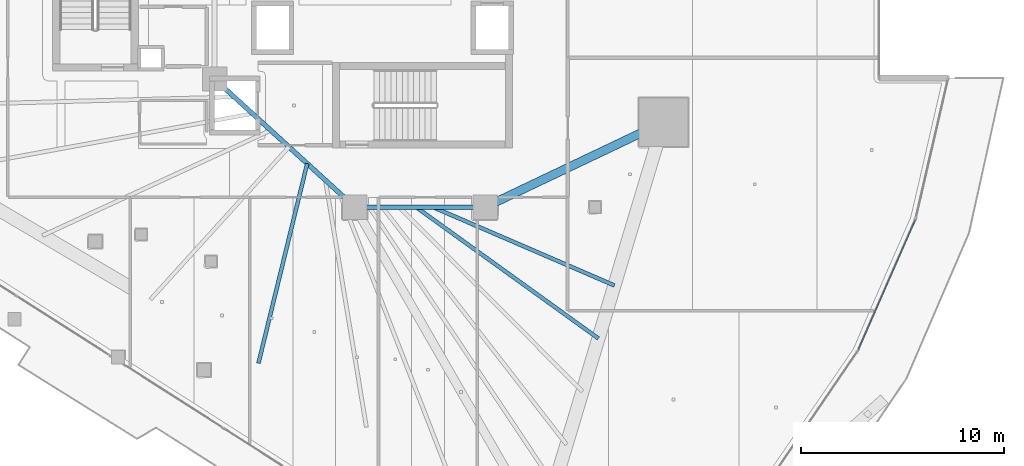
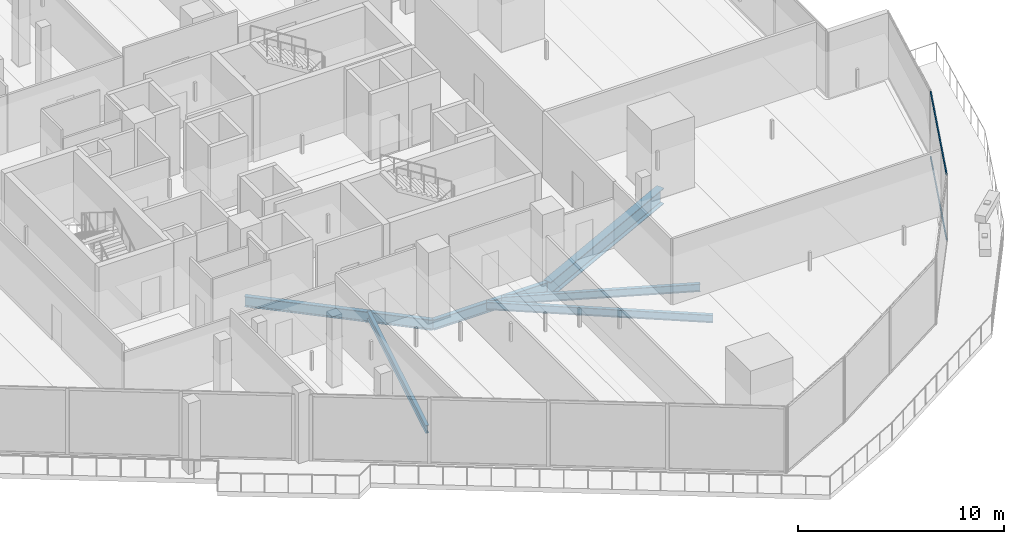
# One storey, part 12 of 45: 6 beams, 2 members, 1 element without a shape of its own.
"""IFC4 building model written with IfcOpenShell, lengths in metres."""

import ifcopenshell
import ifcopenshell.guid

model = None  # the IFC model being written
_history = None  # IfcOwnerHistory: only IFC2X3 demands one
_inside = {}  # id of a spatial element -> (the spatial element, [elements in it])
_under = {}  # id of a project, library or spatial element -> (it, [spatial elements below it])
_declared = {}  # id of a project -> (the project, [libraries it declares])
_typed = {}  # id of a type object -> (the type object, [elements of that type])
_made_of = {}  # id of a material, layer set ... -> (it, [elements and type objects made of it])


def new_model(schema):
    """Start an empty IFC model of exactly this schema.

    Asked for "IFC4X3", IfcOpenShell would pick the latest addendum, in which some entities
    have other attributes; the version numbers below select the first issue.
    IFC2X3 requires an IfcOwnerHistory on every rooted entity: one is made here for all.
    """
    global model, _history
    if schema == "IFC4X3":
        model = ifcopenshell.file(schema_version=(4, 3, 0, 0))
    else:
        model = ifcopenshell.file(schema=schema)
    _inside.clear()
    _under.clear()
    _declared.clear()
    _typed.clear()
    _made_of.clear()
    _history = None
    if model.schema == "IFC2X3":
        org = make("IfcOrganization", Name="unknown")
        user = make(
            "IfcPersonAndOrganization",
            ThePerson=make("IfcPerson", FamilyName="unknown"),
            TheOrganization=org,
        )
        app = make(
            "IfcApplication",
            ApplicationDeveloper=org,
            Version="unknown",
            ApplicationFullName="unknown",
            ApplicationIdentifier="unknown",
        )
        _history = make(
            "IfcOwnerHistory",
            OwningUser=user,
            OwningApplication=app,
            ChangeAction="ADDED",
            CreationDate=0,
        )
    return model


def make(cls, **values):
    """One entity of the class cls with the attributes given. An attribute that is None is left unset."""
    return model.create_entity(
        cls, **{name: value for name, value in values.items() if value is not None}
    )


def rooted(cls, **values):
    """An entity with a GlobalId (a new one), such as an element, a storey or a relation."""
    return make(cls, GlobalId=ifcopenshell.guid.new(), OwnerHistory=_history, **values)


def si_unit(unit_type, name, prefix=None):
    """IfcSIUnit, for example si_unit("LENGTHUNIT", "METRE", prefix="MILLI")."""
    return make("IfcSIUnit", UnitType=unit_type, Prefix=prefix, Name=name)


def assignment(units):
    """IfcUnitAssignment: the units of a project."""
    return None if units is None else make("IfcUnitAssignment", Units=units)


def point(xyz):
    """IfcCartesianPoint."""
    return None if xyz is None else make("IfcCartesianPoint", Coordinates=xyz)


def direction(xyz):
    """IfcDirection."""
    return None if xyz is None else make("IfcDirection", DirectionRatios=xyz)


def frame(location, z_axis=None, x_axis=None):
    """IfcAxis2Placement3D, a coordinate frame: its origin and axes. An axis left out is left unset."""
    return make(
        "IfcAxis2Placement3D",
        Location=point(location),
        Axis=direction(z_axis),
        RefDirection=direction(x_axis),
    )


def frame_2d(location, x_axis=None):
    """IfcAxis2Placement2D, a coordinate frame in the plane: its origin and x axis."""
    return make(
        "IfcAxis2Placement2D", Location=point(location), RefDirection=direction(x_axis)
    )


def origin():
    """The frame at (0, 0, 0) with its axes left unset."""
    return frame((0.0, 0.0, 0.0))


def origin_2d():
    """The frame at (0, 0) in the plane with its x axis left unset."""
    return frame_2d((0.0, 0.0))


def place(relative_to, where):
    """IfcLocalPlacement: puts the frame where relative to a parent placement (None: the world)."""
    return make(
        "IfcLocalPlacement", PlacementRelTo=relative_to, RelativePlacement=where
    )


def context(
    kind, dimensions, precision=None, world=None, true_north=None, identifier=None
):
    """IfcGeometricRepresentationContext, for example the 3D "Model" context."""
    return make(
        "IfcGeometricRepresentationContext",
        ContextIdentifier=identifier,
        ContextType=kind,
        CoordinateSpaceDimension=dimensions,
        Precision=precision,
        WorldCoordinateSystem=world,
        TrueNorth=true_north,
    )


def subcontext(parent, identifier, kind, view, scale=None):
    """IfcGeometricRepresentationSubContext, for example "Body" below "Model"."""
    return make(
        "IfcGeometricRepresentationSubContext",
        ContextIdentifier=identifier,
        ContextType=kind,
        ParentContext=parent,
        TargetScale=scale,
        TargetView=view,
    )


def project(units=None, contexts=None):
    """IfcProject with its units and contexts."""
    return rooted(
        "IfcProject",
        Name="project",
        RepresentationContexts=contexts,
        UnitsInContext=assignment(units),
    )


def spatial(cls, under=None, at=None, **own):
    """A site, building, storey or space (cls), placed at a placement, below another one or the project."""
    s = rooted(cls, ObjectPlacement=at, **own)
    if under is not None:
        _under.setdefault(under.id(), (under, []))[1].append(s)
    return s


def profile(cls, at=None, kind="AREA", **sizes):
    """A parametric profile (cls). Its sizes go by their IFC names, for example OverallWidth=200.0."""
    return make(cls, ProfileType=kind, Position=at, **sizes)


def hollow_rectangle(**sizes):
    """IfcRectangleHollowProfileDef."""
    return profile("IfcRectangleHollowProfileDef", **sizes)


def i_section(**sizes):
    """IfcIShapeProfileDef."""
    return profile("IfcIShapeProfileDef", **sizes)


def extrude(swept, where, along, depth):
    """IfcExtrudedAreaSolid: the profile swept, set in the frame where, extruded along a direction by depth."""
    return make(
        "IfcExtrudedAreaSolid",
        SweptArea=swept,
        Position=where,
        ExtrudedDirection=direction(along),
        Depth=depth,
    )


def shape(context_of_items, identifier, shape_type, items):
    """IfcShapeRepresentation: the items that make up one representation, for example the "Body"."""
    return make(
        "IfcShapeRepresentation",
        ContextOfItems=context_of_items,
        RepresentationIdentifier=identifier,
        RepresentationType=shape_type,
        Items=items,
    )


def material(Name=None, Category=None):
    """IfcMaterial."""
    return make("IfcMaterial", Name=Name, Category=Category)


def layer(
    of_material, thickness, ventilated=None, Name=None, Category=None, Priority=None
):
    """IfcMaterialLayer: one layer of a wall or slab, of a material (None: an air gap)."""
    return make(
        "IfcMaterialLayer",
        Material=of_material,
        LayerThickness=thickness,
        IsVentilated=ventilated,
        Name=Name,
        Category=Category,
        Priority=Priority,
    )


def layer_set(layers, Name=None):
    """IfcMaterialLayerSet."""
    return make("IfcMaterialLayerSet", MaterialLayers=layers, LayerSetName=Name)


def material_profile(
    of_material, cross_section, Name=None, Category=None, Priority=None
):
    """IfcMaterialProfile: a cross section and its material."""
    return make(
        "IfcMaterialProfile",
        Name=Name,
        Material=of_material,
        Profile=cross_section,
        Priority=Priority,
        Category=Category,
    )


def profile_set(profiles, Name=None, composite=None):
    """IfcMaterialProfileSet."""
    return make(
        "IfcMaterialProfileSet",
        Name=Name,
        MaterialProfiles=profiles,
        CompositeProfile=composite,
    )


def made_of(thing, what):
    """Note that an element or type object is made of a material, layer set ...; save() writes the relation."""
    if what is not None:
        _made_of.setdefault(what.id(), (what, []))[1].append(thing)
    return thing


def type_object(cls, material=None, **own):
    """A type object (cls), such as IfcWallType, which elements share."""
    return made_of(rooted(cls, **own), material)


def element(
    cls,
    number,
    at=None,
    inside=None,
    cuts=None,
    type_object=None,
    material=None,
    context=None,
    identifier="Body",
    shape_type=None,
    held_by="IfcProductDefinitionShape",
    body=None,
    shapes=None,
    **own,
):
    """One element of the class cls, such as IfcWall. Its Tag is "e" and its number.

    at: its placement. inside: the storey or other place that contains it. cuts: it is an
    opening in that element (IfcRelVoidsElement). A single representation is given by context,
    identifier, shape_type and body (its items); several are given by shapes. held_by: the class
    of the entity that holds the representations. save() writes the other relations.
    """
    e = rooted(cls, Tag="e%d" % number, ObjectPlacement=at, **own)
    if body is not None:
        shapes = [shape(context, identifier, shape_type, body)]
    if shapes is not None:
        e.Representation = make(held_by, Representations=shapes)
    if inside is not None:
        _inside.setdefault(inside.id(), (inside, []))[1].append(e)
    if cuts is not None:
        rooted(
            "IfcRelVoidsElement", RelatingBuildingElement=cuts, RelatedOpeningElement=e
        )
    if type_object is not None:
        _typed.setdefault(type_object.id(), (type_object, []))[1].append(e)
    return made_of(e, material)


def aggregate(whole, parts):
    """IfcRelAggregates: a whole, such as a stair, and the parts it consists of."""
    return rooted("IfcRelAggregates", RelatingObject=whole, RelatedObjects=parts)


def save(model, path):
    """Write the relations noted so far, then the file.

    IfcRelAggregates (storeys below a building ...), IfcRelContainedInSpatialStructure (elements
    in a storey), IfcRelDefinesByType, IfcRelAssociatesMaterial and IfcRelDeclares: one each for
    every whole, place, type object, material and project.
    """
    for whole, parts in _under.values():
        aggregate(whole, parts)
    for where, things in _inside.values():
        rooted(
            "IfcRelContainedInSpatialStructure",
            RelatedElements=things,
            RelatingStructure=where,
        )
    for kind, things in _typed.values():
        rooted("IfcRelDefinesByType", RelatedObjects=things, RelatingType=kind)
    for what, things in _made_of.values():
        rooted("IfcRelAssociatesMaterial", RelatedObjects=things, RelatingMaterial=what)
    for by, libraries in _declared.values():
        rooted("IfcRelDeclares", RelatingContext=by, RelatedDefinitions=libraries)
    model.write(path)


model = new_model("IFC4")

# Units and contexts
model_context = context("Model", 3, precision=1e-05, world=origin(), true_north=direction((0.0, 1.0)))
body_context = subcontext(model_context, "Body", "Model", "MODEL_VIEW")
ifc_project = project(units=[si_unit("LENGTHUNIT", "METRE"), si_unit("AREAUNIT", "SQUARE_METRE"), si_unit("VOLUMEUNIT", "CUBIC_METRE"), si_unit("PLANEANGLEUNIT", "RADIAN"), si_unit("MASSUNIT", "GRAM", prefix="KILO")], contexts=[model_context])

# Site, building, storey
site_placement = place(None, origin())
site = spatial("IfcSite", under=ifc_project, at=site_placement, CompositionType="ELEMENT")
building_placement = place(site_placement, origin())
building = spatial("IfcBuilding", under=site, at=building_placement, Name="Qorvath Tower", CompositionType="ELEMENT")
storey_placement = place(building_placement, frame((0.0, 0.0, 91.199951171875)))
storey = spatial("IfcBuildingStorey", under=building, at=storey_placement, Name="L20", CompositionType="ELEMENT", Elevation=91.199951171875)

# Beams
ifc_material_1 = material(Name="Steel ASTM A992 Grade 50", Category="steel")
ifc_material_profile_1 = material_profile(ifc_material_1, i_section(OverallWidth=0.422119140625, OverallDepth=0.93310546875, WebThickness=0.021240234375, FlangeThickness=0.039794921875, FilletRadius=0.02392578125, at=origin_2d()), Name="W36x262")
ifc_profile_set_1 = profile_set([ifc_material_profile_1], Name="Steel ASTM A992 Grade 50")
beam_type_1 = type_object("IfcBeamType", Name="BM-FG1", PredefinedType="BEAM", material=ifc_profile_set_1)
beam_1_placement = place(storey_placement, frame((-17.199951171875, -11.449951171875, -0.74658203125), z_axis=(0.902955751435, 0.429733534821, 0.0), x_axis=(-0.429733534821, 0.902955751435, 0.0)))
element("IfcBeam", 1, at=beam_1_placement, inside=storey, type_object=beam_type_1, Name="Radial Floor Girder CC3-MC4 L20", PredefinedType="BEAM", context=body_context, shape_type="SweptSolid", body=[
    extrude(i_section(OverallWidth=0.422119140625, OverallDepth=0.93310546875, WebThickness=0.021240234375, FlangeThickness=0.039794921875, FilletRadius=0.02392578125, at=origin_2d()), origin(), (0.0, 0.0, 1.0), 9.7119140625),
])
ifc_material_2 = material(Name="Steel ASTM A992 Grade 50", Category="steel")
ifc_material_profile_2 = material_profile(ifc_material_2, i_section(OverallWidth=0.22998046875, OverallDepth=0.616943359375, WebThickness=0.01318359375, FlangeThickness=0.022216796875, FilletRadius=0.014892578125, at=origin_2d()), Name="W24x94")
ifc_profile_set_2 = profile_set([ifc_material_profile_2], Name="Steel ASTM A992 Grade 50")
beam_type_2 = type_object("IfcBeamType", Name="BM-FG6", PredefinedType="BEAM", material=ifc_profile_set_2)
beam_2_placement = place(storey_placement, frame((-17.199951171875, -11.449951171875, -0.588623046875), z_axis=(-1.0, 0.0, 0.0), x_axis=(0.0, -1.0, 0.0)))
element("IfcBeam", 2, at=beam_2_placement, inside=storey, type_object=beam_type_2, Name="Core Ring Girder CC3-CC4 L20", PredefinedType="BEAM", context=body_context, shape_type="SweptSolid", body=[
    extrude(i_section(OverallWidth=0.22998046875, OverallDepth=0.616943359375, WebThickness=0.01318359375, FlangeThickness=0.022216796875, FilletRadius=0.014892578125, at=origin_2d()), origin(), (0.0, 0.0, 1.0), 6.400146484375),
])
beam_3_placement = place(storey_placement, frame((-23.60009765625, -11.449951171875, -0.588623046875), z_axis=(-0.73847813985, 0.6742774184, 0.0), x_axis=(-0.6742774184, -0.73847813985, 0.0)))
element("IfcBeam", 3, at=beam_3_placement, inside=storey, type_object=beam_type_2, Name="Core Ring Girder CC4-CC6 L20", PredefinedType="BEAM", context=body_context, shape_type="SweptSolid", body=[
    extrude(i_section(OverallWidth=0.22998046875, OverallDepth=0.616943359375, WebThickness=0.01318359375, FlangeThickness=0.022216796875, FilletRadius=0.014892578125, at=origin_2d()), origin(), (0.0, 0.0, 1.0), 9.343505859375),
])
ifc_material_3 = material(Name="Steel ASTM A992 Grade 50", Category="steel")
ifc_material_profile_3 = material_profile(ifc_material_3, i_section(OverallWidth=0.18994140625, OverallDepth=0.45703125, WebThickness=0.009033203125, FlangeThickness=0.014404296875, FilletRadius=0.011962890625, at=origin_2d()), Name="W18x50")
ifc_profile_set_3 = profile_set([ifc_material_profile_3], Name="Steel ASTM A992 Grade 50")
beam_type_3 = type_object("IfcBeamType", Name="BM-FJ2", PredefinedType="JOIST", material=ifc_profile_set_3)
beam_4_placement = place(storey_placement, frame((-19.760009765625, -11.449951171875, -0.508544921875), z_axis=(0.918135537923, -0.396266493667, 0.0), x_axis=(0.396266493667, 0.918135537923, 0.0)))
element("IfcBeam", 4, at=beam_4_placement, inside=storey, type_object=beam_type_3, Name="Composite Floor Joist SE3 L20", PredefinedType="JOIST", context=body_context, shape_type="SweptSolid", body=[
    extrude(i_section(OverallWidth=0.18994140625, OverallDepth=0.45703125, WebThickness=0.009033203125, FlangeThickness=0.014404296875, FilletRadius=0.011962890625, at=origin_2d()), origin(), (0.0, 0.0, 1.0), 9.7109375),
])
beam_5_placement = place(storey_placement, frame((-20.592041015625, -11.449951171875, -0.508544921875), z_axis=(0.811469358397, -0.584394969505, 0.0), x_axis=(0.584394969505, 0.811469358397, 0.0)))
element("IfcBeam", 5, at=beam_5_placement, inside=storey, type_object=beam_type_3, Name="Composite Floor Joist SE4 L20", PredefinedType="JOIST", context=body_context, shape_type="SweptSolid", body=[
    extrude(i_section(OverallWidth=0.18994140625, OverallDepth=0.45703125, WebThickness=0.009033203125, FlangeThickness=0.014404296875, FilletRadius=0.011962890625, at=origin_2d()), origin(), (0.0, 0.0, 1.0), 11.046142578125),
])
beam_6_placement = place(storey_placement, frame((-25.946044921875, -9.30810546875, -0.508544921875), z_axis=(-0.237165308581, -0.97146930801, 0.0), x_axis=(0.97146930801, -0.237165308581, 0.0)))
element("IfcBeam", 6, at=beam_6_placement, inside=storey, type_object=beam_type_3, Name="Composite Floor Joist SW5 L20", PredefinedType="JOIST", context=body_context, shape_type="SweptSolid", body=[
    extrude(i_section(OverallWidth=0.18994140625, OverallDepth=0.45703125, WebThickness=0.009033203125, FlangeThickness=0.014404296875, FilletRadius=0.011962890625, at=origin_2d()), origin(), (0.0, 0.0, 1.0), 10.104736328125),
])

# Curtain wall, members
ifc_material_4 = material(Name="Anodised aluminium and triple low-E glass", Category="aluminium")
ifc_layer = layer(ifc_material_4, 0.179931640625)
ifc_layer_set = layer_set([ifc_layer], Name="CW-SYS-2")
curtain_wall_type = type_object("IfcCurtainWallType", Name="CW-SYS-2", PredefinedType="NOTDEFINED", material=ifc_layer_set)
curtain_wall_placement = place(storey_placement, origin())
curtain_wall = element("IfcCurtainWall", 7, at=curtain_wall_placement, inside=storey, type_object=curtain_wall_type, Name="Curtain Wall CW-2 CW-T-L20-6.1", PredefinedType="NOTDEFINED")
ifc_material_5 = material(Name="Anodised aluminium 6063-T6", Category="aluminium")
ifc_material_profile_4 = material_profile(ifc_material_5, hollow_rectangle(XDim=0.06494140625, YDim=0.159912109375, WallThickness=0.00341796875, InnerFilletRadius=0.00341796875, OuterFilletRadius=0.007080078125, at=origin_2d()), Name="CWT 160x65")
ifc_profile_set_4 = profile_set([ifc_material_profile_4], Name="Anodised aluminium 6063-T6")
member_type = type_object("IfcMemberType", Name="CWT-160", PredefinedType="USERDEFINED", material=ifc_profile_set_4)
member_1_placement = place(storey_placement, frame((1.148681640625, -18.45849609375, 0.032470703125), z_axis=(0.40148574416, 0.915865272426, 0.0), x_axis=(-0.915865272426, 0.40148574416, 0.0)))
member_1 = element("IfcMember", 8, at=member_1_placement, type_object=member_type, Name="CW-2 transom 1.1", ObjectType="TRANSOM", PredefinedType="USERDEFINED", context=body_context, shape_type="SweptSolid", body=[
    extrude(hollow_rectangle(XDim=0.06494140625, YDim=0.159912109375, WallThickness=0.00341796875, InnerFilletRadius=0.00341796875, OuterFilletRadius=0.007080078125, at=origin_2d()), origin(), (0.0, 0.0, 1.0), 6.969970703125),
])
member_2_placement = place(storey_placement, frame((1.148681640625, -18.45849609375, 3.8876953125), z_axis=(0.40148574416, 0.915865272426, 0.0), x_axis=(-0.915865272426, 0.40148574416, 0.0)))
member_2 = element("IfcMember", 9, at=member_2_placement, type_object=member_type, Name="CW-2 transom 1.2", ObjectType="TRANSOM", PredefinedType="USERDEFINED", context=body_context, shape_type="SweptSolid", body=[
    extrude(hollow_rectangle(XDim=0.06494140625, YDim=0.159912109375, WallThickness=0.00341796875, InnerFilletRadius=0.00341796875, OuterFilletRadius=0.007080078125, at=origin_2d()), origin(), (0.0, 0.0, 1.0), 6.969970703125),
])
aggregate(curtain_wall, [member_1, member_2])

save(model, "model.ifc")
